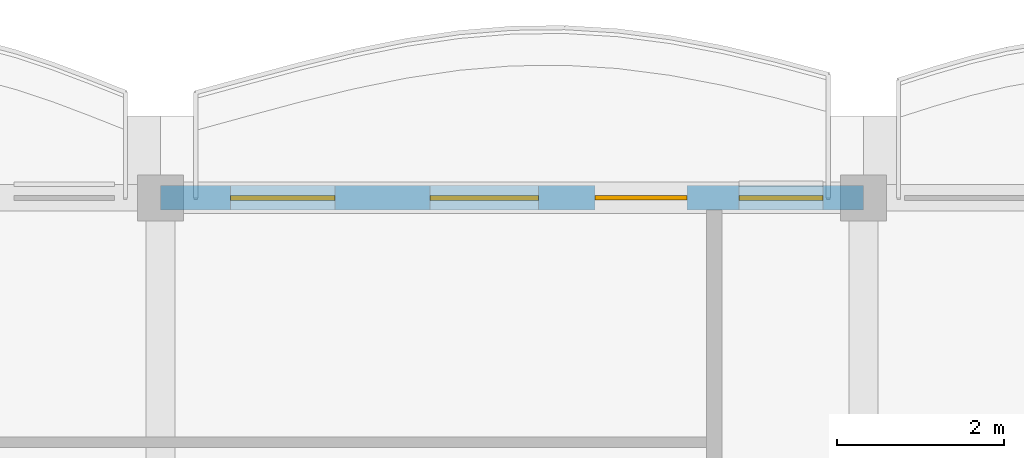
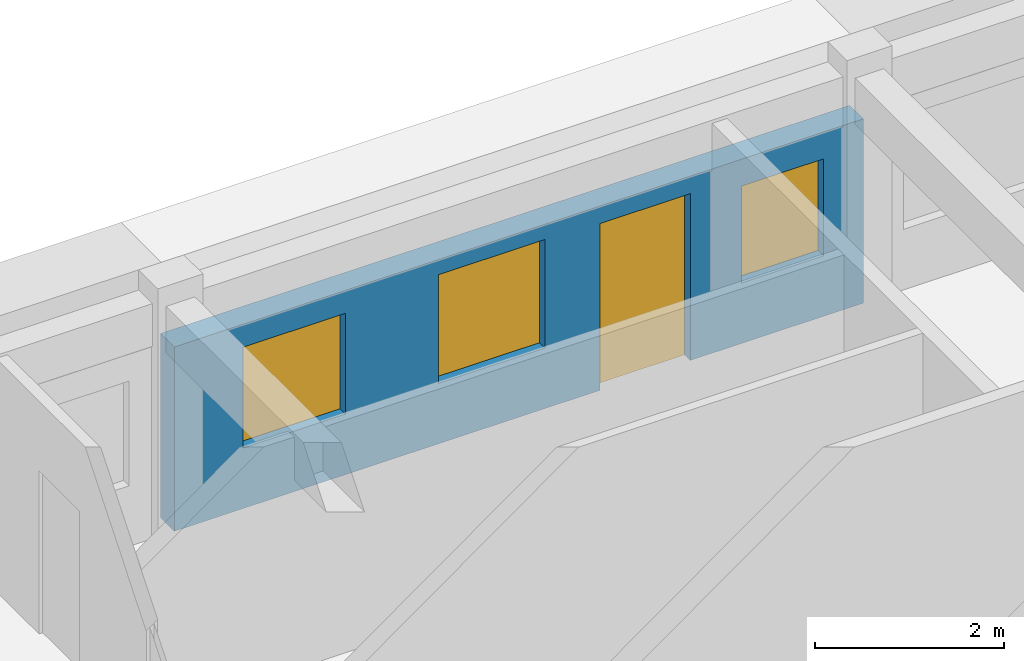
# One storey, part 37 of 68: 3 windows, 1 door, 1 wall, 4 openings.
"""IFC4 building model written with IfcOpenShell, lengths in metres."""

from ifc_helpers import new_model, si_unit, direction, frame, frame_2d, origin, place, context, subcontext, project, spatial, rectangle, extrude, material, layer, layer_set, type_object, element, fill, save


model = new_model("IFC4")

# Units and contexts
model_context = context("Model", 3, precision=1e-05, world=origin(), true_north=direction((0.0, 1.0)))
body_context = subcontext(model_context, "Body", "Model", "MODEL_VIEW")
ifc_project = project(units=[si_unit("LENGTHUNIT", "METRE"), si_unit("AREAUNIT", "SQUARE_METRE"), si_unit("VOLUMEUNIT", "CUBIC_METRE"), si_unit("PLANEANGLEUNIT", "RADIAN"), si_unit("MASSUNIT", "GRAM", prefix="KILO"), si_unit("THERMODYNAMICTEMPERATUREUNIT", "KELVIN")], contexts=[model_context])

# Site, building, storey
site_placement = place(None, origin())
site = spatial("IfcSite", under=ifc_project, at=site_placement, CompositionType="ELEMENT")
building_placement = place(site_placement, origin())
building = spatial("IfcBuilding", under=site, at=building_placement, Name="Thalorik Housing Commons", CompositionType="ELEMENT")
storey_placement = place(building_placement, frame((0.0, 0.0, 24.60009765625)))
storey = spatial("IfcBuildingStorey", under=building, at=storey_placement, Name="L07", CompositionType="ELEMENT", Elevation=24.60009765625)

# Wall, openings, door, windows
ifc_material_1 = material(Name="White precast concrete C40/50", Category="concrete")
ifc_layer = layer(ifc_material_1, 0.2900390625, Name="White precast concrete C40/50", Category="concrete")
ifc_layer_set = layer_set([ifc_layer], Name="White precast concrete C40/50")
wall_type = type_object("IfcWallType", Name="ARC-WAL-EXT-290", PredefinedType="STANDARD", material=ifc_layer_set)
wall_placement = place(storey_placement, frame((138.0, 123.60009765625, 0.0), z_axis=(0.0, 0.0, 1.0), x_axis=(-1.0, 0.0, 0.0)))
wall = element("IfcWall", 1, at=wall_placement, inside=storey, type_object=wall_type, Name="L07 Exterior Wall WAL-EXT-L07-B-0641", PredefinedType="STANDARD", context=body_context, shape_type="SweptSolid", body=[
    extrude(rectangle(XDim=8.39990234375, YDim=0.2900390625, at=frame_2d((4.199951171875, 0.0))), origin(), (0.0, 0.0, 1.0), 2.375),
])
opening_1_placement = place(wall_placement, frame((2.110107421875, 0.0, 0.0)))
opening_1 = element("IfcOpeningElement", 2, at=opening_1_placement, cuts=wall, Name="Opening ED-0210", PredefinedType="OPENING", context=body_context, shape_type="SweptSolid", body=[
    extrude(rectangle(XDim=1.10009765625, YDim=2.14990234375, at=frame_2d((0.550048828125, 1.074951171875))), frame((0.0, 0.155029296875, 0.0), z_axis=(0.0, -1.0, 0.0), x_axis=(1.0, 0.0, 0.0)), (0.0, 0.0, 1.0), 0.31005859375),
])
opening_2_placement = place(wall_placement, frame((0.485107421875, 0.0, 0.780029296875)))
opening_2 = element("IfcOpeningElement", 3, at=opening_2_placement, cuts=wall, Name="Opening W-02", PredefinedType="OPENING", context=body_context, shape_type="SweptSolid", body=[
    extrude(rectangle(XDim=1.0, YDim=1.25, at=frame_2d((0.5, 0.625))), frame((0.0, 0.155029296875, 0.0), z_axis=(0.0, -1.0, 0.0), x_axis=(1.0, 0.0, 0.0)), (0.0, 0.0, 1.0), 0.31005859375),
])
opening_3_placement = place(wall_placement, frame((3.882568359375, 0.0, 0.780029296875)))
opening_3 = element("IfcOpeningElement", 4, at=opening_3_placement, cuts=wall, Name="Opening W-06", PredefinedType="OPENING", context=body_context, shape_type="SweptSolid", body=[
    extrude(rectangle(XDim=1.300048828125, YDim=1.39990234375, at=frame_2d((0.64990234375, 0.699951171875))), frame((0.0, 0.155029296875, 0.0), z_axis=(0.0, -1.0, 0.0), x_axis=(1.0, 0.0, 0.0)), (0.0, 0.0, 1.0), 0.31005859375),
])
opening_4_placement = place(wall_placement, frame((6.3125, 0.0, 0.780029296875)))
opening_4 = element("IfcOpeningElement", 5, at=opening_4_placement, cuts=wall, Name="Opening W-46", PredefinedType="OPENING", context=body_context, shape_type="SweptSolid", body=[
    extrude(rectangle(XDim=1.25, YDim=1.300048828125, at=frame_2d((0.625, 0.64990234375))), frame((0.0, 0.155029296875, 0.0), z_axis=(0.0, -1.0, 0.0), x_axis=(1.0, 0.0, 0.0)), (0.0, 0.0, 1.0), 0.31005859375),
])
ifc_material_2 = material(Name="Anodised aluminium and laminated safety glass", Category="aluminium")
door_type = type_object("IfcDoorType", Name="ARC-DR-BAL-1100", OperationType="NOTDEFINED", PredefinedType="DOOR", material=ifc_material_2)
door_placement = place(opening_1_placement, frame((1.10009765625, 0.0, 0.0), z_axis=(0.0, 0.0, 1.0), x_axis=(-1.0, 0.0, 0.0)))
door = element("IfcDoor", 6, at=door_placement, inside=storey, type_object=door_type, Name="L07 Block B Balcony Glazed Door", OperationType="SINGLE_SWING_LEFT", OverallHeight=2.14990234375, OverallWidth=1.10009765625, PredefinedType="DOOR", context=body_context, shape_type="SweptSolid", body=[
    extrude(rectangle(XDim=1.10009765625, YDim=2.14990234375, at=frame_2d((0.550048828125, 1.074951171875))), frame((0.0, 0.02490234375, 0.0), z_axis=(0.0, -1.0, 0.0), x_axis=(1.0, 0.0, 0.0)), (0.0, 0.0, 1.0), 0.050048828125),
])
fill(opening_1, door)
ifc_material_3 = material(Name="Anodised aluminium and solar-control low-E glass", Category="aluminium")
window_type_1 = type_object("IfcWindowType", Name="ARC-WIN-02", PartitioningType="SINGLE_PANEL", PredefinedType="WINDOW", material=ifc_material_3)
window_1_placement = place(opening_2_placement, origin())
window_1 = element("IfcWindow", 7, at=window_1_placement, inside=storey, type_object=window_type_1, Name="L07 Facade Window 1171", OverallHeight=1.25, OverallWidth=1.0, PartitioningType="SINGLE_PANEL", PredefinedType="WINDOW", context=body_context, shape_type="SweptSolid", body=[
    extrude(rectangle(XDim=1.0, YDim=1.25, at=frame_2d((0.5, 0.625))), frame((0.0, 0.030029296875, 0.0), z_axis=(0.0, -1.0, 0.0), x_axis=(1.0, 0.0, 0.0)), (0.0, 0.0, 1.0), 0.06005859375),
])
fill(opening_2, window_1)
window_type_2 = type_object("IfcWindowType", Name="ARC-WIN-06", PartitioningType="SINGLE_PANEL", PredefinedType="WINDOW", material=ifc_material_3)
window_2_placement = place(opening_3_placement, origin())
window_2 = element("IfcWindow", 8, at=window_2_placement, inside=storey, type_object=window_type_2, Name="L07 Facade Window 1172", OverallHeight=1.39990234375, OverallWidth=1.300048828125, PartitioningType="SINGLE_PANEL", PredefinedType="WINDOW", context=body_context, shape_type="SweptSolid", body=[
    extrude(rectangle(XDim=1.300048828125, YDim=1.39990234375, at=frame_2d((0.64990234375, 0.699951171875))), frame((0.0, 0.030029296875, 0.0), z_axis=(0.0, -1.0, 0.0), x_axis=(1.0, 0.0, 0.0)), (0.0, 0.0, 1.0), 0.06005859375),
])
fill(opening_3, window_2)
window_type_3 = type_object("IfcWindowType", Name="ARC-WIN-46", PartitioningType="SINGLE_PANEL", PredefinedType="WINDOW", material=ifc_material_3)
window_3_placement = place(opening_4_placement, origin())
window_3 = element("IfcWindow", 9, at=window_3_placement, inside=storey, type_object=window_type_3, Name="L07 Facade Window 1173", OverallHeight=1.300048828125, OverallWidth=1.25, PartitioningType="SINGLE_PANEL", PredefinedType="WINDOW", context=body_context, shape_type="SweptSolid", body=[
    extrude(rectangle(XDim=1.25, YDim=1.300048828125, at=frame_2d((0.625, 0.64990234375))), frame((0.0, 0.030029296875, 0.0), z_axis=(0.0, -1.0, 0.0), x_axis=(1.0, 0.0, 0.0)), (0.0, 0.0, 1.0), 0.06005859375),
])
fill(opening_4, window_3)

save(model, "model.ifc")
